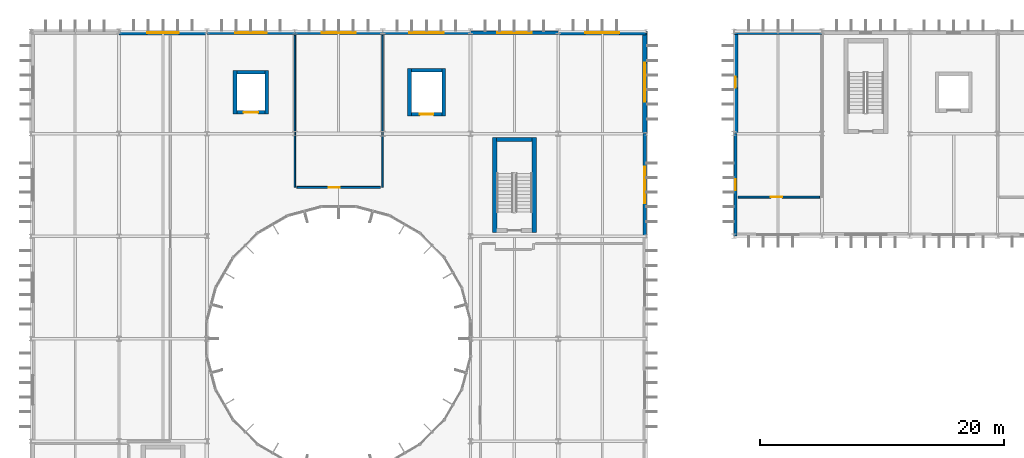
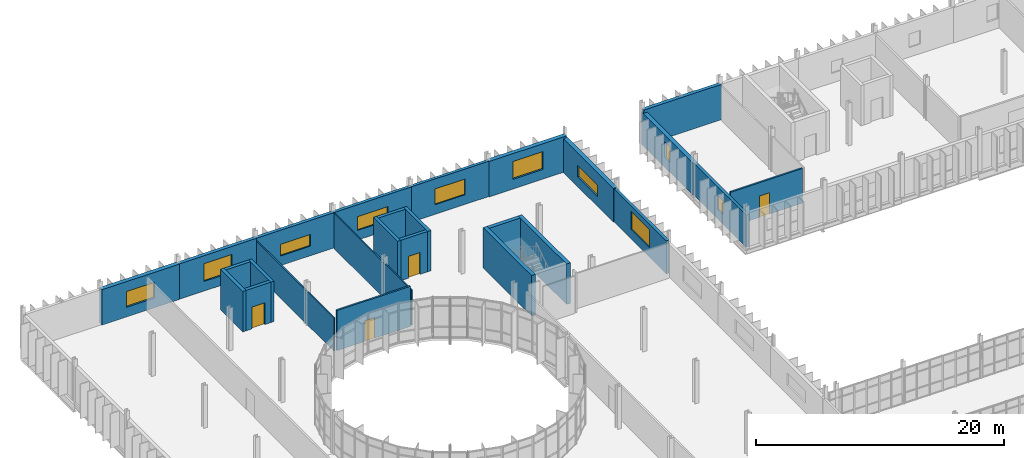
# One storey, part 97 of 119: 26 walls, 10 windows, 4 doors, 14 openings.
"""IFC4 building model written with IfcOpenShell, lengths in metres."""

from ifc_helpers import new_model, si_unit, direction, frame, frame_2d, origin, place, context, subcontext, project, spatial, rectangle, extrude, material, layer, layer_set, type_object, element, fill, save


model = new_model("IFC4")

# Units and contexts
model_context = context("Model", 3, precision=1e-05, world=origin(), true_north=direction((0.0, 1.0)))
body_context = subcontext(model_context, "Body", "Model", "MODEL_VIEW")
ifc_project = project(units=[si_unit("LENGTHUNIT", "METRE"), si_unit("AREAUNIT", "SQUARE_METRE"), si_unit("VOLUMEUNIT", "CUBIC_METRE"), si_unit("PLANEANGLEUNIT", "RADIAN"), si_unit("MASSUNIT", "GRAM", prefix="KILO")], contexts=[model_context])

# Site, building, storey
site_placement = place(None, origin())
site = spatial("IfcSite", under=ifc_project, at=site_placement, CompositionType="ELEMENT")
building_placement = place(site_placement, origin())
building = spatial("IfcBuilding", under=site, at=building_placement, Name="Qelthora Terrace Specialist Clinic", CompositionType="ELEMENT")
storey_placement = place(building_placement, frame((0.0, 0.0, 4.800048828125)))
storey = spatial("IfcBuildingStorey", under=building, at=storey_placement, Name="L01", CompositionType="ELEMENT", Elevation=4.800048828125)

# Walls
ifc_material_1 = material(Name="Concrete C40/50", Category="concrete")
ifc_layer_1 = layer(ifc_material_1, 0.300048828125)
ifc_layer_set_1 = layer_set([ifc_layer_1], Name="Concrete C40/50")
wall_type_1 = type_object("IfcWallType", Name="WAL-CORE-300-C40", PredefinedType="SHEAR", material=ifc_layer_set_1)
for number, where, z_axis, x_axis, name in (
    (1, (31.0, 102.25, 0.0), (0.0, 0.0, 1.0), (0.0, 1.0, 0.0), "Lift SL-02 L01 west shaft wall"),
    (2, (33.800048828125, 102.25, 0.0), (0.0, 0.0, 1.0), (0.0, 1.0, 0.0), "Lift SL-02 L01 east shaft wall"),
):
    element("IfcWall", number, at=place(storey_placement, frame(where, z_axis=z_axis, x_axis=x_axis)), inside=storey, type_object=wall_type_1, Name=name, PredefinedType="SHEAR", context=body_context, shape_type="SweptSolid", body=[
        extrude(rectangle(XDim=3.89990234375, YDim=0.300048828125, at=frame_2d((1.949951171875, 0.0))), origin(), (0.0, 0.0, 1.0), 3.97998046875),
    ])
wall_1_placement = place(storey_placement, frame((31.14990234375, 106.0, 0.0), z_axis=(0.0, 0.0, 1.0), x_axis=(1.0, 0.0, 0.0)))
element("IfcWall", 3, at=wall_1_placement, inside=storey, type_object=wall_type_1, Name="Lift SL-02 L01 north shaft wall", PredefinedType="SHEAR", context=body_context, shape_type="SweptSolid", body=[
    extrude(rectangle(XDim=2.5, YDim=0.300048828125, at=frame_2d((1.25, 0.0))), origin(), (0.0, 0.0, 1.0), 3.97998046875),
])

# Wall, opening, door
wall_2_placement = place(storey_placement, frame((31.14990234375, 102.39990234375, 0.0), z_axis=(0.0, 0.0, 1.0), x_axis=(1.0, 0.0, 0.0)))
wall_2 = element("IfcWall", 4, at=wall_2_placement, inside=storey, type_object=wall_type_1, Name="Lift SL-02 L01 south shaft wall", PredefinedType="SHEAR", context=body_context, shape_type="SweptSolid", body=[
    extrude(rectangle(XDim=2.5, YDim=0.300048828125, at=frame_2d((1.25, 0.0))), origin(), (0.0, 0.0, 1.0), 3.97998046875),
])
opening_1_placement = place(wall_2_placement, frame((0.699951171875, 0.0, 0.0)))
opening_1 = element("IfcOpeningElement", 5, at=opening_1_placement, cuts=wall_2, Name="Opening LD-SL-02-L01", PredefinedType="OPENING", context=body_context, shape_type="SweptSolid", body=[
    extrude(rectangle(XDim=1.10009765625, YDim=2.14990234375, at=frame_2d((0.550048828125, 1.074951171875))), frame((0.0, 0.159912109375, 0.0), z_axis=(0.0, -1.0, 0.0), x_axis=(1.0, 0.0, 0.0)), (0.0, 0.0, 1.0), 0.320068359375),
])
ifc_material_2 = material(Name="Steel S355", Category="steel")
door_type_1 = type_object("IfcDoorType", Name="DOR-LIFT-1100X2150", OperationType="NOTDEFINED", PredefinedType="DOOR", material=ifc_material_2)
door_1_placement = place(opening_1_placement, origin())
door_1 = element("IfcDoor", 6, at=door_1_placement, inside=storey, type_object=door_type_1, Name="Lift landing sliding door LD-SL-02-L01", OperationType="DOUBLE_DOOR_SLIDING", OverallHeight=2.14990234375, OverallWidth=1.10009765625, PredefinedType="DOOR", context=body_context, shape_type="SweptSolid", body=[
    extrude(rectangle(XDim=1.10009765625, YDim=2.14990234375, at=frame_2d((0.550048828125, 1.074951171875))), frame((0.0, 0.02490234375, 0.0), z_axis=(0.0, -1.0, 0.0), x_axis=(1.0, 0.0, 0.0)), (0.0, 0.0, 1.0), 0.050048828125),
])
fill(opening_1, door_1)

# Walls
for number, where, z_axis, x_axis, name in (
    (7, (16.699951171875, 102.39990234375, 0.0), (0.0, 0.0, 1.0), (0.0, 1.0, 0.0), "Lift GL-01 L01 west shaft wall"),
    (8, (19.300048828125, 102.39990234375, 0.0), (0.0, 0.0, 1.0), (0.0, 1.0, 0.0), "Lift GL-01 L01 east shaft wall"),
):
    element("IfcWall", number, at=place(storey_placement, frame(where, z_axis=z_axis, x_axis=x_axis)), inside=storey, type_object=wall_type_1, Name=name, PredefinedType="SHEAR", context=body_context, shape_type="SweptSolid", body=[
        extrude(rectangle(XDim=3.60009765625, YDim=0.300048828125, at=frame_2d((1.800048828125, 0.0))), origin(), (0.0, 0.0, 1.0), 3.97998046875),
    ])
wall_3_placement = place(storey_placement, frame((16.85009765625, 105.85009765625, 0.0), z_axis=(0.0, 0.0, 1.0), x_axis=(1.0, 0.0, 0.0)))
element("IfcWall", 9, at=wall_3_placement, inside=storey, type_object=wall_type_1, Name="Lift GL-01 L01 north shaft wall", PredefinedType="SHEAR", context=body_context, shape_type="SweptSolid", body=[
    extrude(rectangle(XDim=2.2998046875, YDim=0.300048828125, at=frame_2d((1.14990234375, 0.0))), origin(), (0.0, 0.0, 1.0), 3.97998046875),
])

# Wall, opening, door
wall_4_placement = place(storey_placement, frame((16.85009765625, 102.550048828125, 0.0), z_axis=(0.0, 0.0, 1.0), x_axis=(1.0, 0.0, 0.0)))
wall_4 = element("IfcWall", 10, at=wall_4_placement, inside=storey, type_object=wall_type_1, Name="Lift GL-01 L01 south shaft wall", PredefinedType="SHEAR", context=body_context, shape_type="SweptSolid", body=[
    extrude(rectangle(XDim=2.2998046875, YDim=0.300048828125, at=frame_2d((1.14990234375, 0.0))), origin(), (0.0, 0.0, 1.0), 3.97998046875),
])
opening_2_placement = place(wall_4_placement, frame((0.550048828125, 0.0, 0.0)))
opening_2 = element("IfcOpeningElement", 11, at=opening_2_placement, cuts=wall_4, Name="Opening LD-GL-01-L01", PredefinedType="OPENING", context=body_context, shape_type="SweptSolid", body=[
    extrude(rectangle(XDim=1.199951171875, YDim=2.14990234375, at=frame_2d((0.60009765625, 1.074951171875))), frame((0.0, 0.159912109375, 0.0), z_axis=(0.0, -1.0, 0.0), x_axis=(1.0, 0.0, 0.0)), (0.0, 0.0, 1.0), 0.320068359375),
])
door_type_2 = type_object("IfcDoorType", Name="DOR-LIFT-1200X2150", OperationType="NOTDEFINED", PredefinedType="DOOR", material=ifc_material_2)
door_2_placement = place(opening_2_placement, origin())
door_2 = element("IfcDoor", 12, at=door_2_placement, inside=storey, type_object=door_type_2, Name="Lift landing sliding door LD-GL-01-L01", OperationType="DOUBLE_DOOR_SLIDING", OverallHeight=2.14990234375, OverallWidth=1.199951171875, PredefinedType="DOOR", context=body_context, shape_type="SweptSolid", body=[
    extrude(rectangle(XDim=1.199951171875, YDim=2.14990234375, at=frame_2d((0.60009765625, 1.074951171875))), frame((0.0, 0.02490234375, 0.0), z_axis=(0.0, -1.0, 0.0), x_axis=(1.0, 0.0, 0.0)), (0.0, 0.0, 1.0), 0.050048828125),
])
fill(opening_2, door_2)

# Walls
ifc_layer_2 = layer(ifc_material_1, 0.35009765625)
ifc_layer_set_2 = layer_set([ifc_layer_2], Name="Concrete C40/50")
wall_type_2 = type_object("IfcWallType", Name="WAL-CORE-350-C40", PredefinedType="SHEAR", material=ifc_layer_set_2)
for number, where, z_axis, x_axis, name in (
    (13, (37.97509765625, 92.699951171875, 0.0), (0.0, 0.0, 1.0), (0.0, 1.0, 0.0), "ST-02 L01 west shear core wall"),
    (14, (41.22509765625, 92.699951171875, 0.0), (0.0, 0.0, 1.0), (0.0, 1.0, 0.0), "ST-02 L01 east shear core wall"),
):
    element("IfcWall", number, at=place(storey_placement, frame(where, z_axis=z_axis, x_axis=x_axis)), inside=storey, type_object=wall_type_2, Name=name, PredefinedType="SHEAR", context=body_context, shape_type="SweptSolid", body=[
        extrude(rectangle(XDim=7.800048828125, YDim=0.35009765625, at=frame_2d((3.89990234375, 0.0))), origin(), (0.0, 0.0, 1.0), 3.97998046875),
    ])
wall_5_placement = place(storey_placement, frame((38.14990234375, 100.324951171875, 0.0), z_axis=(0.0, 0.0, 1.0), x_axis=(1.0, 0.0, 0.0)))
element("IfcWall", 15, at=wall_5_placement, inside=storey, type_object=wall_type_2, Name="ST-02 L01 north shear core wall", PredefinedType="SHEAR", context=body_context, shape_type="SweptSolid", body=[
    extrude(rectangle(XDim=2.900146484375, YDim=0.35009765625, at=frame_2d((1.4501953125, 0.0))), origin(), (0.0, 0.0, 1.0), 3.97998046875),
])

# Wall, opening, window
ifc_material_3 = material(Name="Precast concrete C40/50", Category="concrete")
ifc_layer_3 = layer(ifc_material_3, 0.260009765625)
ifc_layer_set_3 = layer_set([ifc_layer_3], Name="Precast concrete C40/50")
wall_type_3 = type_object("IfcWallType", Name="WAL-EXT-260-PC40", PredefinedType="SOLIDWALL", material=ifc_layer_set_3)
wall_6_placement = place(storey_placement, frame((36.0, 109.080078125, 0.0), z_axis=(0.0, 0.0, 1.0), x_axis=(1.0, 0.0, 0.0)))
wall_6 = element("IfcWall", 16, at=wall_6_placement, inside=storey, type_object=wall_type_3, Name="L01 external precast wall 139", PredefinedType="SOLIDWALL", context=body_context, shape_type="SweptSolid", body=[
    extrude(rectangle(XDim=7.199951171875, YDim=0.260009765625, at=frame_2d((3.60009765625, 0.0))), origin(), (0.0, 0.0, 1.0), 3.48193359375),
])
opening_3_placement = place(wall_6_placement, frame((2.199951171875, 0.0, 0.949951171875)))
opening_3 = element("IfcOpeningElement", 17, at=opening_3_placement, cuts=wall_6, Name="Opening WN-L01-111", PredefinedType="OPENING", context=body_context, shape_type="SweptSolid", body=[
    extrude(rectangle(XDim=2.800048828125, YDim=1.550048828125, at=frame_2d((1.39990234375, 0.77490234375))), frame((0.0, 0.139892578125, 0.0), z_axis=(0.0, -1.0, 0.0), x_axis=(1.0, 0.0, 0.0)), (0.0, 0.0, 1.0), 0.280029296875),
])
ifc_material_4 = material(Name="Low-E triple-silver insulating glass", Category="glass")
window_type_1 = type_object("IfcWindowType", Name="WIN-2800X1550", PartitioningType="DOUBLE_PANEL_VERTICAL", PredefinedType="WINDOW", material=ifc_material_4)
window_1_placement = place(opening_3_placement, origin())
window_1 = element("IfcWindow", 18, at=window_1_placement, inside=storey, type_object=window_type_1, Name="Clinical window WN-L01-111", OverallHeight=1.550048828125, OverallWidth=2.800048828125, PartitioningType="SINGLE_PANEL", PredefinedType="WINDOW", context=body_context, shape_type="SweptSolid", body=[
    extrude(rectangle(XDim=2.800048828125, YDim=1.550048828125, at=frame_2d((1.39990234375, 0.77490234375))), frame((0.0, 0.030029296875, 0.0), z_axis=(0.0, -1.0, 0.0), x_axis=(1.0, 0.0, 0.0)), (0.0, 0.0, 1.0), 0.06005859375),
])
fill(opening_3, window_1)

wall_7_placement = place(storey_placement, frame((50.280029296875, 92.39990234375, 0.0), z_axis=(0.0, 0.0, 1.0), x_axis=(0.0, 1.0, 0.0)))
wall_7 = element("IfcWall", 19, at=wall_7_placement, inside=storey, type_object=wall_type_3, Name="L01 external precast wall 144", PredefinedType="SOLIDWALL", context=body_context, shape_type="SweptSolid", body=[
    extrude(rectangle(XDim=8.400146484375, YDim=0.260009765625, at=frame_2d((4.2001953125, 0.0))), origin(), (0.0, 0.0, 1.0), 3.2490234375),
])
opening_4_placement = place(wall_7_placement, frame((2.699951171875, 0.0, 0.949951171875)))
opening_4 = element("IfcOpeningElement", 20, at=opening_4_placement, cuts=wall_7, Name="Opening WN-L01-116", PredefinedType="OPENING", context=body_context, shape_type="SweptSolid", body=[
    extrude(rectangle(XDim=3.0, YDim=1.75, at=frame_2d((1.5, 0.875))), frame((0.0, 0.139892578125, 0.0), z_axis=(0.0, -1.0, 0.0), x_axis=(1.0, 0.0, 0.0)), (0.0, 0.0, 1.0), 0.280029296875),
])
window_type_2 = type_object("IfcWindowType", Name="WIN-3000X1750", PartitioningType="DOUBLE_PANEL_VERTICAL", PredefinedType="WINDOW", material=ifc_material_4)
window_2_placement = place(opening_4_placement, origin())
window_2 = element("IfcWindow", 21, at=window_2_placement, inside=storey, type_object=window_type_2, Name="Clinical window WN-L01-116", OverallHeight=1.75, OverallWidth=3.0, PartitioningType="SINGLE_PANEL", PredefinedType="WINDOW", context=body_context, shape_type="SweptSolid", body=[
    extrude(rectangle(XDim=3.0, YDim=1.75, at=frame_2d((1.5, 0.875))), frame((0.0, 0.030029296875, 0.0), z_axis=(0.0, -1.0, 0.0), x_axis=(1.0, 0.0, 0.0)), (0.0, 0.0, 1.0), 0.06005859375),
])
fill(opening_4, window_2)

wall_8_placement = place(storey_placement, frame((57.719970703125, 92.39990234375, 0.0), z_axis=(0.0, 0.0, 1.0), x_axis=(0.0, 1.0, 0.0)))
wall_8 = element("IfcWall", 22, at=wall_8_placement, inside=storey, type_object=wall_type_3, Name="L01 external precast wall 154", PredefinedType="SOLIDWALL", context=body_context, shape_type="SweptSolid", body=[
    extrude(rectangle(XDim=8.400146484375, YDim=0.260009765625, at=frame_2d((4.2001953125, 0.0))), origin(), (0.0, 0.0, 1.0), 3.171875),
])
opening_5_placement = place(wall_8_placement, frame((3.75, 0.0, 0.949951171875)))
opening_5 = element("IfcOpeningElement", 23, at=opening_5_placement, cuts=wall_8, Name="Opening WN-L01-126", PredefinedType="OPENING", context=body_context, shape_type="SweptSolid", body=[
    extrude(rectangle(XDim=0.89990234375, YDim=1.35009765625, at=frame_2d((0.449951171875, 0.675048828125))), frame((0.0, 0.139892578125, 0.0), z_axis=(0.0, -1.0, 0.0), x_axis=(1.0, 0.0, 0.0)), (0.0, 0.0, 1.0), 0.280029296875),
])
window_type_3 = type_object("IfcWindowType", Name="WIN-900X1350", PartitioningType="SINGLE_PANEL", PredefinedType="WINDOW", material=ifc_material_4)
window_3_placement = place(opening_5_placement, origin())
window_3 = element("IfcWindow", 24, at=window_3_placement, inside=storey, type_object=window_type_3, Name="Clinical window WN-L01-126", OverallHeight=1.35009765625, OverallWidth=0.89990234375, PartitioningType="SINGLE_PANEL", PredefinedType="WINDOW", context=body_context, shape_type="SweptSolid", body=[
    extrude(rectangle(XDim=0.89990234375, YDim=1.35009765625, at=frame_2d((0.449951171875, 0.675048828125))), frame((0.0, 0.030029296875, 0.0), z_axis=(0.0, -1.0, 0.0), x_axis=(1.0, 0.0, 0.0)), (0.0, 0.0, 1.0), 0.06005859375),
])
fill(opening_5, window_3)

ifc_layer_4 = layer(ifc_material_3, 0.280029296875)
ifc_layer_set_4 = layer_set([ifc_layer_4], Name="Precast concrete C40/50")
wall_type_4 = type_object("IfcWallType", Name="WAL-EXT-280-PC40", PredefinedType="SOLIDWALL", material=ifc_layer_set_4)
wall_9_placement = place(storey_placement, frame((28.800048828125, 109.080078125, 0.0), z_axis=(0.0, 0.0, 1.0), x_axis=(1.0, 0.0, 0.0)))
wall_9 = element("IfcWall", 25, at=wall_9_placement, inside=storey, type_object=wall_type_4, Name="L01 external precast wall 138", PredefinedType="SOLIDWALL", context=body_context, shape_type="SweptSolid", body=[
    extrude(rectangle(XDim=7.199951171875, YDim=0.280029296875, at=frame_2d((3.60009765625, 0.0))), origin(), (0.0, 0.0, 1.0), 3.48193359375),
])
opening_6_placement = place(wall_9_placement, frame((2.199951171875, 0.0, 0.949951171875)))
opening_6 = element("IfcOpeningElement", 26, at=opening_6_placement, cuts=wall_9, Name="Opening WN-L01-110", PredefinedType="OPENING", context=body_context, shape_type="SweptSolid", body=[
    extrude(rectangle(XDim=2.800048828125, YDim=1.35009765625, at=frame_2d((1.39990234375, 0.675048828125))), frame((0.0, 0.14990234375, 0.0), z_axis=(0.0, -1.0, 0.0), x_axis=(1.0, 0.0, 0.0)), (0.0, 0.0, 1.0), 0.300048828125),
])
window_type_4 = type_object("IfcWindowType", Name="WIN-2800X1350", PartitioningType="DOUBLE_PANEL_VERTICAL", PredefinedType="WINDOW", material=ifc_material_4)
window_4_placement = place(opening_6_placement, origin())
window_4 = element("IfcWindow", 27, at=window_4_placement, inside=storey, type_object=window_type_4, Name="Clinical window WN-L01-110", OverallHeight=1.35009765625, OverallWidth=2.800048828125, PartitioningType="SINGLE_PANEL", PredefinedType="WINDOW", context=body_context, shape_type="SweptSolid", body=[
    extrude(rectangle(XDim=2.800048828125, YDim=1.35009765625, at=frame_2d((1.39990234375, 0.675048828125))), frame((0.0, 0.030029296875, 0.0), z_axis=(0.0, -1.0, 0.0), x_axis=(1.0, 0.0, 0.0)), (0.0, 0.0, 1.0), 0.06005859375),
])
fill(opening_6, window_4)

ifc_layer_5 = layer(ifc_material_3, 0.300048828125)
ifc_layer_set_5 = layer_set([ifc_layer_5], Name="Precast concrete C40/50")
wall_type_5 = type_object("IfcWallType", Name="WAL-EXT-300-PC40", PredefinedType="SOLIDWALL", material=ifc_layer_set_5)
wall_10_placement = place(storey_placement, frame((21.60009765625, 109.080078125, 0.0), z_axis=(0.0, 0.0, 1.0), x_axis=(1.0, 0.0, 0.0)))
wall_10 = element("IfcWall", 28, at=wall_10_placement, inside=storey, type_object=wall_type_5, Name="L01 external precast wall 137", PredefinedType="SOLIDWALL", context=body_context, shape_type="SweptSolid", body=[
    extrude(rectangle(XDim=7.199951171875, YDim=0.300048828125, at=frame_2d((3.60009765625, 0.0))), origin(), (0.0, 0.0, 1.0), 3.48193359375),
])
opening_7_placement = place(wall_10_placement, frame((2.199951171875, 0.0, 0.949951171875)))
opening_7 = element("IfcOpeningElement", 29, at=opening_7_placement, cuts=wall_10, Name="Opening WN-L01-109", PredefinedType="OPENING", context=body_context, shape_type="SweptSolid", body=[
    extrude(rectangle(XDim=2.800048828125, YDim=1.14990234375, at=frame_2d((1.39990234375, 0.574951171875))), frame((0.0, 0.159912109375, 0.0), z_axis=(0.0, -1.0, 0.0), x_axis=(1.0, 0.0, 0.0)), (0.0, 0.0, 1.0), 0.320068359375),
])
window_type_5 = type_object("IfcWindowType", Name="WIN-2800X1150", PartitioningType="DOUBLE_PANEL_VERTICAL", PredefinedType="WINDOW", material=ifc_material_4)
window_5_placement = place(opening_7_placement, origin())
window_5 = element("IfcWindow", 30, at=window_5_placement, inside=storey, type_object=window_type_5, Name="Clinical window WN-L01-109", OverallHeight=1.14990234375, OverallWidth=2.800048828125, PartitioningType="SINGLE_PANEL", PredefinedType="WINDOW", context=body_context, shape_type="SweptSolid", body=[
    extrude(rectangle(XDim=2.800048828125, YDim=1.14990234375, at=frame_2d((1.39990234375, 0.574951171875))), frame((0.0, 0.030029296875, 0.0), z_axis=(0.0, -1.0, 0.0), x_axis=(1.0, 0.0, 0.0)), (0.0, 0.0, 1.0), 0.06005859375),
])
fill(opening_7, window_5)

ifc_layer_6 = layer(ifc_material_3, 0.320068359375)
ifc_layer_set_6 = layer_set([ifc_layer_6], Name="Precast concrete C40/50")
wall_type_6 = type_object("IfcWallType", Name="WAL-EXT-320-PC40", PredefinedType="SOLIDWALL", material=ifc_layer_set_6)
wall_11_placement = place(storey_placement, frame((14.39990234375, 109.080078125, 0.0), z_axis=(0.0, 0.0, 1.0), x_axis=(1.0, 0.0, 0.0)))
wall_11 = element("IfcWall", 31, at=wall_11_placement, inside=storey, type_object=wall_type_6, Name="L01 external precast wall 136", PredefinedType="SOLIDWALL", context=body_context, shape_type="SweptSolid", body=[
    extrude(rectangle(XDim=7.2001953125, YDim=0.320068359375, at=frame_2d((3.60009765625, 0.0))), origin(), (0.0, 0.0, 1.0), 3.48193359375),
])
opening_8_placement = place(wall_11_placement, frame((2.300048828125, 0.0, 0.949951171875)))
opening_8 = element("IfcOpeningElement", 32, at=opening_8_placement, cuts=wall_11, Name="Opening WN-L01-108", PredefinedType="OPENING", context=body_context, shape_type="SweptSolid", body=[
    extrude(rectangle(XDim=2.60009765625, YDim=1.75, at=frame_2d((1.300048828125, 0.875))), frame((0.0, 0.169921875, 0.0), z_axis=(0.0, -1.0, 0.0), x_axis=(1.0, 0.0, 0.0)), (0.0, 0.0, 1.0), 0.340087890625),
])
window_type_6 = type_object("IfcWindowType", Name="WIN-2600X1750", PartitioningType="DOUBLE_PANEL_VERTICAL", PredefinedType="WINDOW", material=ifc_material_4)
window_6_placement = place(opening_8_placement, origin())
window_6 = element("IfcWindow", 33, at=window_6_placement, inside=storey, type_object=window_type_6, Name="Clinical window WN-L01-108", OverallHeight=1.75, OverallWidth=2.60009765625, PartitioningType="SINGLE_PANEL", PredefinedType="WINDOW", context=body_context, shape_type="SweptSolid", body=[
    extrude(rectangle(XDim=2.60009765625, YDim=1.75, at=frame_2d((1.300048828125, 0.875))), frame((0.0, 0.030029296875, 0.0), z_axis=(0.0, -1.0, 0.0), x_axis=(1.0, 0.0, 0.0)), (0.0, 0.0, 1.0), 0.06005859375),
])
fill(opening_8, window_6)

# Wall
wall_12_placement = place(storey_placement, frame((57.60009765625, 109.080078125, 0.0), z_axis=(0.0, 0.0, 1.0), x_axis=(1.0, 0.0, 0.0)))
element("IfcWall", 34, at=wall_12_placement, inside=storey, type_object=wall_type_6, Name="L01 external precast wall 156", PredefinedType="SOLIDWALL", context=body_context, shape_type="SweptSolid", body=[
    extrude(rectangle(XDim=7.199951171875, YDim=0.320068359375, at=frame_2d((3.60009765625, 0.0))), origin(), (0.0, 0.0, 1.0), 3.48193359375),
])

# Wall, opening, window
ifc_layer_7 = layer(ifc_material_3, 0.3798828125)
ifc_layer_set_7 = layer_set([ifc_layer_7], Name="Precast concrete C40/50")
wall_type_7 = type_object("IfcWallType", Name="WAL-EXT-380-PC40", PredefinedType="SOLIDWALL", material=ifc_layer_set_7)
wall_13_placement = place(storey_placement, frame((7.199951171875, 109.080078125, 0.0), z_axis=(0.0, 0.0, 1.0), x_axis=(1.0, 0.0, 0.0)))
wall_13 = element("IfcWall", 35, at=wall_13_placement, inside=storey, type_object=wall_type_7, Name="L01 external precast wall 135", PredefinedType="SOLIDWALL", context=body_context, shape_type="SweptSolid", body=[
    extrude(rectangle(XDim=7.199951171875, YDim=0.3798828125, at=frame_2d((3.60009765625, 0.0))), origin(), (0.0, 0.0, 1.0), 3.48193359375),
])
opening_9_placement = place(wall_13_placement, frame((2.300048828125, 0.0, 0.949951171875)))
opening_9 = element("IfcOpeningElement", 36, at=opening_9_placement, cuts=wall_13, Name="Opening WN-L01-107", PredefinedType="OPENING", context=body_context, shape_type="SweptSolid", body=[
    extrude(rectangle(XDim=2.60009765625, YDim=1.550048828125, at=frame_2d((1.300048828125, 0.77490234375))), frame((0.0, 0.199951171875, 0.0), z_axis=(0.0, -1.0, 0.0), x_axis=(1.0, 0.0, 0.0)), (0.0, 0.0, 1.0), 0.39990234375),
])
window_type_7 = type_object("IfcWindowType", Name="WIN-2600X1550", PartitioningType="DOUBLE_PANEL_VERTICAL", PredefinedType="WINDOW", material=ifc_material_4)
window_7_placement = place(opening_9_placement, origin())
window_7 = element("IfcWindow", 37, at=window_7_placement, inside=storey, type_object=window_type_7, Name="Clinical window WN-L01-107", OverallHeight=1.550048828125, OverallWidth=2.60009765625, PartitioningType="SINGLE_PANEL", PredefinedType="WINDOW", context=body_context, shape_type="SweptSolid", body=[
    extrude(rectangle(XDim=2.60009765625, YDim=1.550048828125, at=frame_2d((1.300048828125, 0.77490234375))), frame((0.0, 0.030029296875, 0.0), z_axis=(0.0, -1.0, 0.0), x_axis=(1.0, 0.0, 0.0)), (0.0, 0.0, 1.0), 0.06005859375),
])
fill(opening_9, window_7)

wall_14_placement = place(storey_placement, frame((43.199951171875, 109.080078125, 0.0), z_axis=(0.0, 0.0, 1.0), x_axis=(1.0, 0.0, 0.0)))
wall_14 = element("IfcWall", 38, at=wall_14_placement, inside=storey, type_object=wall_type_7, Name="L01 external precast wall 140", PredefinedType="SOLIDWALL", context=body_context, shape_type="SweptSolid", body=[
    extrude(rectangle(XDim=7.199951171875, YDim=0.3798828125, at=frame_2d((3.60009765625, 0.0))), origin(), (0.0, 0.0, 1.0), 3.48193359375),
])
opening_10_placement = place(wall_14_placement, frame((2.199951171875, 0.0, 0.949951171875)))
opening_10 = element("IfcOpeningElement", 39, at=opening_10_placement, cuts=wall_14, Name="Opening WN-L01-112", PredefinedType="OPENING", context=body_context, shape_type="SweptSolid", body=[
    extrude(rectangle(XDim=2.800048828125, YDim=1.75, at=frame_2d((1.39990234375, 0.875))), frame((0.0, 0.199951171875, 0.0), z_axis=(0.0, -1.0, 0.0), x_axis=(1.0, 0.0, 0.0)), (0.0, 0.0, 1.0), 0.39990234375),
])
window_type_8 = type_object("IfcWindowType", Name="WIN-2800X1750", PartitioningType="DOUBLE_PANEL_VERTICAL", PredefinedType="WINDOW", material=ifc_material_4)
window_8_placement = place(opening_10_placement, origin())
window_8 = element("IfcWindow", 40, at=window_8_placement, inside=storey, type_object=window_type_8, Name="Clinical window WN-L01-112", OverallHeight=1.75, OverallWidth=2.800048828125, PartitioningType="SINGLE_PANEL", PredefinedType="WINDOW", context=body_context, shape_type="SweptSolid", body=[
    extrude(rectangle(XDim=2.800048828125, YDim=1.75, at=frame_2d((1.39990234375, 0.875))), frame((0.0, 0.030029296875, 0.0), z_axis=(0.0, -1.0, 0.0), x_axis=(1.0, 0.0, 0.0)), (0.0, 0.0, 1.0), 0.06005859375),
])
fill(opening_10, window_8)

wall_15_placement = place(storey_placement, frame((50.280029296875, 100.800048828125, 0.0), z_axis=(0.0, 0.0, 1.0), x_axis=(0.0, 1.0, 0.0)))
wall_15 = element("IfcWall", 41, at=wall_15_placement, inside=storey, type_object=wall_type_7, Name="L01 external precast wall 145", PredefinedType="SOLIDWALL", context=body_context, shape_type="SweptSolid", body=[
    extrude(rectangle(XDim=8.39990234375, YDim=0.3798828125, at=frame_2d((4.199951171875, 0.0))), origin(), (0.0, 0.0, 1.0), 3.324951171875),
])
opening_11_placement = place(wall_15_placement, frame((2.60009765625, 0.0, 0.949951171875)))
opening_11 = element("IfcOpeningElement", 42, at=opening_11_placement, cuts=wall_15, Name="Opening WN-L01-117", PredefinedType="OPENING", context=body_context, shape_type="SweptSolid", body=[
    extrude(rectangle(XDim=3.199951171875, YDim=1.14990234375, at=frame_2d((1.60009765625, 0.574951171875))), frame((0.0, 0.199951171875, 0.0), z_axis=(0.0, -1.0, 0.0), x_axis=(1.0, 0.0, 0.0)), (0.0, 0.0, 1.0), 0.39990234375),
])
window_type_9 = type_object("IfcWindowType", Name="WIN-3200X1150", PartitioningType="DOUBLE_PANEL_VERTICAL", PredefinedType="WINDOW", material=ifc_material_4)
window_9_placement = place(opening_11_placement, origin())
window_9 = element("IfcWindow", 43, at=window_9_placement, inside=storey, type_object=window_type_9, Name="Clinical window WN-L01-117", OverallHeight=1.14990234375, OverallWidth=3.199951171875, PartitioningType="SINGLE_PANEL", PredefinedType="WINDOW", context=body_context, shape_type="SweptSolid", body=[
    extrude(rectangle(XDim=3.199951171875, YDim=1.14990234375, at=frame_2d((1.60009765625, 0.574951171875))), frame((0.0, 0.030029296875, 0.0), z_axis=(0.0, -1.0, 0.0), x_axis=(1.0, 0.0, 0.0)), (0.0, 0.0, 1.0), 0.06005859375),
])
fill(opening_11, window_9)

wall_16_placement = place(storey_placement, frame((57.719970703125, 100.800048828125, 0.0), z_axis=(0.0, 0.0, 1.0), x_axis=(0.0, 1.0, 0.0)))
wall_16 = element("IfcWall", 44, at=wall_16_placement, inside=storey, type_object=wall_type_7, Name="L01 external precast wall 155", PredefinedType="SOLIDWALL", context=body_context, shape_type="SweptSolid", body=[
    extrude(rectangle(XDim=8.39990234375, YDim=0.3798828125, at=frame_2d((4.199951171875, 0.0))), origin(), (0.0, 0.0, 1.0), 3.171875),
])
opening_12_placement = place(wall_16_placement, frame((3.75, 0.0, 0.949951171875)))
opening_12 = element("IfcOpeningElement", 45, at=opening_12_placement, cuts=wall_16, Name="Opening WN-L01-127", PredefinedType="OPENING", context=body_context, shape_type="SweptSolid", body=[
    extrude(rectangle(XDim=0.89990234375, YDim=1.550048828125, at=frame_2d((0.449951171875, 0.77490234375))), frame((0.0, 0.199951171875, 0.0), z_axis=(0.0, -1.0, 0.0), x_axis=(1.0, 0.0, 0.0)), (0.0, 0.0, 1.0), 0.39990234375),
])
window_type_10 = type_object("IfcWindowType", Name="WIN-900X1550", PartitioningType="SINGLE_PANEL", PredefinedType="WINDOW", material=ifc_material_4)
window_10_placement = place(opening_12_placement, origin())
window_10 = element("IfcWindow", 46, at=window_10_placement, inside=storey, type_object=window_type_10, Name="Clinical window WN-L01-127", OverallHeight=1.550048828125, OverallWidth=0.89990234375, PartitioningType="SINGLE_PANEL", PredefinedType="WINDOW", context=body_context, shape_type="SweptSolid", body=[
    extrude(rectangle(XDim=0.89990234375, YDim=1.550048828125, at=frame_2d((0.449951171875, 0.77490234375))), frame((0.0, 0.030029296875, 0.0), z_axis=(0.0, -1.0, 0.0), x_axis=(1.0, 0.0, 0.0)), (0.0, 0.0, 1.0), 0.06005859375),
])
fill(opening_12, window_10)

# Wall, opening, door
ifc_material_5 = material(Name="Gypsum fire-rated wallboard", Category="gypsum")
ifc_layer_8 = layer(ifc_material_5, 0.159912109375)
ifc_layer_set_8 = layer_set([ifc_layer_8], Name="Gypsum fire-rated wallboard")
wall_type_8 = type_object("IfcWallType", Name="WAL-INT-COR-160", PredefinedType="PARTITIONING", material=ifc_layer_set_8)
wall_17_placement = place(storey_placement, frame((28.6201171875, 96.39990234375, 0.0), z_axis=(0.0, 0.0, 1.0), x_axis=(-1.0, 0.0, 0.0)))
wall_17 = element("IfcWall", 47, at=wall_17_placement, inside=storey, type_object=wall_type_8, Name="Interior clinical partition IWAL-L01-0232", PredefinedType="PARTITIONING", context=body_context, shape_type="SweptSolid", body=[
    extrude(rectangle(XDim=6.840087890625, YDim=0.159912109375, at=frame_2d((3.419921875, 0.0))), origin(), (0.0, 0.0, 1.0), 3.945068359375),
])
opening_13_placement = place(wall_17_placement, frame((3.330078125, 0.0, 0.0)))
opening_13 = element("IfcOpeningElement", 48, at=opening_13_placement, cuts=wall_17, Name="Opening DI-L01-0091", PredefinedType="OPENING", context=body_context, shape_type="SweptSolid", body=[
    extrude(rectangle(XDim=0.89990234375, YDim=2.0400390625, at=frame_2d((0.449951171875, 1.02001953125))), frame((0.0, 0.08984375, 0.0), z_axis=(0.0, -1.0, 0.0), x_axis=(1.0, 0.0, 0.0)), (0.0, 0.0, 1.0), 0.179931640625),
])
ifc_material_6 = material(Name="Glulam timber GL28h", Category="wood")
door_type_3 = type_object("IfcDoorType", Name="DOR-ENS-900X2040", OperationType="NOTDEFINED", PredefinedType="DOOR", material=ifc_material_6)
door_3_placement = place(opening_13_placement, frame((0.89990234375, 0.0, 0.0), z_axis=(0.0, 0.0, 1.0), x_axis=(-1.0, 0.0, 0.0)))
door_3 = element("IfcDoor", 49, at=door_3_placement, inside=storey, type_object=door_type_3, Name="Interior clinical door DI-L01-0091", OperationType="SINGLE_SWING_RIGHT", OverallHeight=2.0400390625, OverallWidth=0.89990234375, PredefinedType="DOOR", context=body_context, shape_type="SweptSolid", body=[
    extrude(rectangle(XDim=0.89990234375, YDim=2.0400390625, at=frame_2d((0.449951171875, 1.02001953125))), frame((0.0, 0.02490234375, 0.0), z_axis=(0.0, -1.0, 0.0), x_axis=(1.0, 0.0, 0.0)), (0.0, 0.0, 1.0), 0.050048828125),
])
fill(opening_13, door_3)

wall_18_placement = place(storey_placement, frame((64.6201171875, 95.60009765625, 0.0), z_axis=(0.0, 0.0, 1.0), x_axis=(-1.0, 0.0, 0.0)))
wall_18 = element("IfcWall", 50, at=wall_18_placement, inside=storey, type_object=wall_type_8, Name="Interior clinical partition IWAL-L01-0244", PredefinedType="PARTITIONING", context=body_context, shape_type="SweptSolid", body=[
    extrude(rectangle(XDim=6.68017578125, YDim=0.159912109375, at=frame_2d((3.340087890625, 0.0))), origin(), (0.0, 0.0, 1.0), 3.407958984375),
])
opening_14_placement = place(wall_18_placement, frame((3.06005859375, 0.0, 0.0)))
opening_14 = element("IfcOpeningElement", 51, at=opening_14_placement, cuts=wall_18, Name="Opening DI-L01-0097", PredefinedType="OPENING", context=body_context, shape_type="SweptSolid", body=[
    extrude(rectangle(XDim=0.9599609375, YDim=2.10009765625, at=frame_2d((0.47998046875, 1.050048828125))), frame((0.0, 0.08984375, 0.0), z_axis=(0.0, -1.0, 0.0), x_axis=(1.0, 0.0, 0.0)), (0.0, 0.0, 1.0), 0.179931640625),
])
door_type_4 = type_object("IfcDoorType", Name="DOR-CON-960X2100", OperationType="NOTDEFINED", PredefinedType="DOOR", material=ifc_material_6)
door_4_placement = place(opening_14_placement, frame((0.9599609375, 0.0, 0.0), z_axis=(0.0, 0.0, 1.0), x_axis=(-1.0, 0.0, 0.0)))
door_4 = element("IfcDoor", 52, at=door_4_placement, inside=storey, type_object=door_type_4, Name="Interior clinical door DI-L01-0097", OperationType="SINGLE_SWING_RIGHT", OverallHeight=2.10009765625, OverallWidth=0.9599609375, PredefinedType="DOOR", context=body_context, shape_type="SweptSolid", body=[
    extrude(rectangle(XDim=0.9599609375, YDim=2.10009765625, at=frame_2d((0.47998046875, 1.050048828125))), frame((0.0, 0.02490234375, 0.0), z_axis=(0.0, -1.0, 0.0), x_axis=(1.0, 0.0, 0.0)), (0.0, 0.0, 1.0), 0.050048828125),
])
fill(opening_14, door_4)

# Walls
ifc_layer_9 = layer(ifc_material_4, 0.110107421875)
ifc_layer_set_9 = layer_set([ifc_layer_9], Name="Low-E triple-silver insulating glass")
wall_type_9 = type_object("IfcWallType", Name="WAL-INT-GLA-110", PredefinedType="MOVABLE", material=ifc_layer_set_9)
wall_19_placement = place(storey_placement, frame((28.800048828125, 108.860107421875, 0.0), z_axis=(0.0, 0.0, 1.0), x_axis=(0.0, -1.0, 0.0)))
element("IfcWall", 53, at=wall_19_placement, inside=storey, type_object=wall_type_9, Name="Interior clinical partition IWAL-L01-0231", PredefinedType="MOVABLE", context=body_context, shape_type="SweptSolid", body=[
    extrude(rectangle(XDim=12.460205078125, YDim=0.110107421875, at=frame_2d((6.22998046875, 0.0))), origin(), (0.0, 0.0, 1.0), 3.47900390625),
])
ifc_material_7 = material(Name="Gypsum acoustic wallboard", Category="gypsum")
ifc_layer_10 = layer(ifc_material_7, 0.1201171875)
ifc_layer_set_10 = layer_set([ifc_layer_10], Name="Gypsum acoustic wallboard")
wall_type_10 = type_object("IfcWallType", Name="WAL-INT-STD-120", PredefinedType="PARTITIONING", material=ifc_layer_set_10)
wall_20_placement = place(storey_placement, frame((21.60009765625, 96.39990234375, 0.0), z_axis=(0.0, 0.0, 1.0), x_axis=(0.0, 1.0, 0.0)))
element("IfcWall", 54, at=wall_20_placement, inside=storey, type_object=wall_type_10, Name="Interior clinical partition IWAL-L01-0230", PredefinedType="PARTITIONING", context=body_context, shape_type="SweptSolid", body=[
    extrude(rectangle(XDim=12.460205078125, YDim=0.1201171875, at=frame_2d((6.22998046875, 0.0))), origin(), (0.0, 0.0, 1.0), 3.251953125),
])

save(model, "model.ifc")
